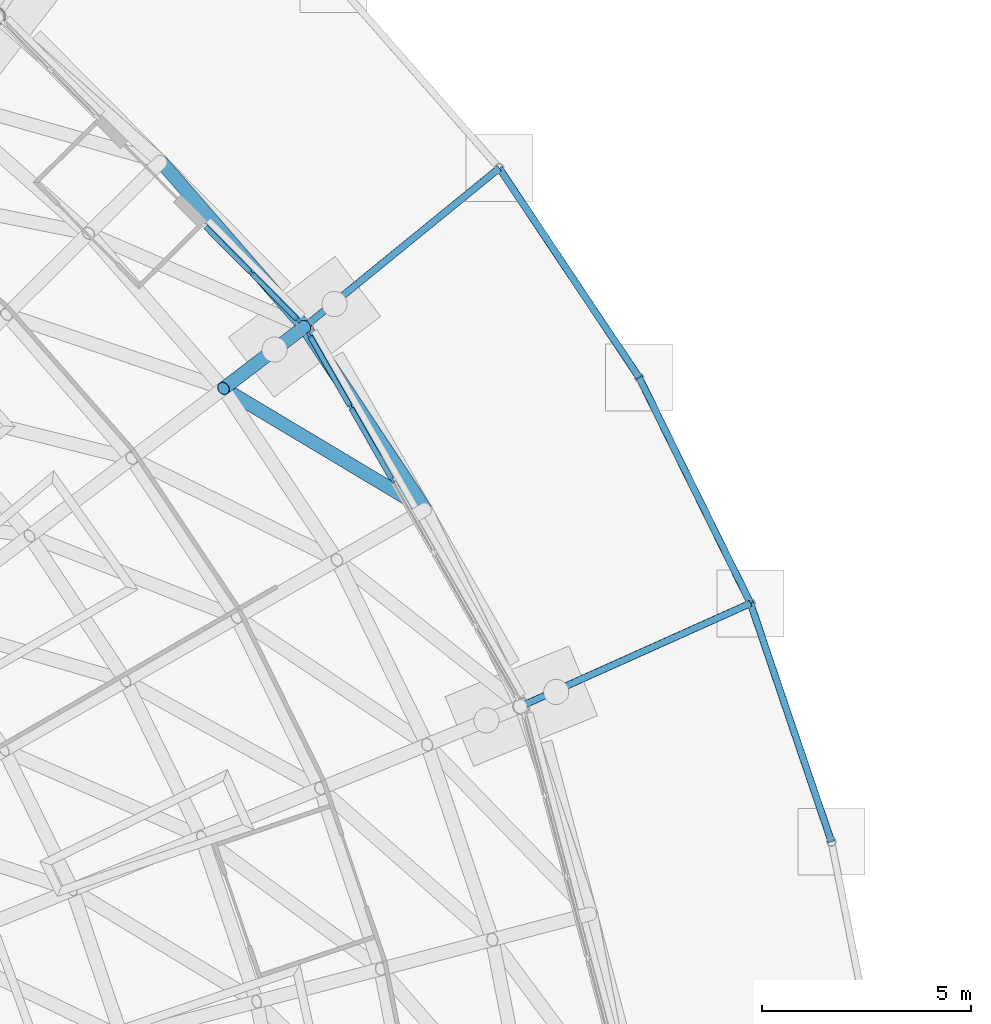
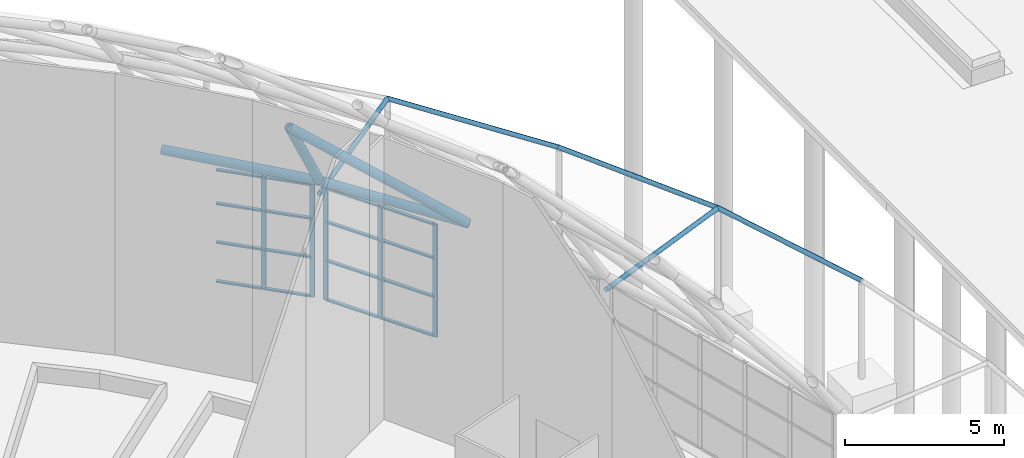
# One storey, part 113 of 226: 30 members, 2 elements without a shape of their own.
"""IFC4 building model written with IfcOpenShell, lengths in metres."""

from ifc_helpers import new_model, si_unit, direction, frame, origin, origin_2d, place, context, subcontext, project, spatial, rectangle, hollow_circle, extrude, material, material_profile, profile_set, type_object, element, aggregate, save


model = new_model("IFC4")

# Units and contexts
model_context = context("Model", 3, precision=1e-05, world=origin(), true_north=direction((0.0, 1.0)))
body_context = subcontext(model_context, "Body", "Model", "MODEL_VIEW")
ifc_project = project(units=[si_unit("LENGTHUNIT", "METRE"), si_unit("AREAUNIT", "SQUARE_METRE"), si_unit("VOLUMEUNIT", "CUBIC_METRE"), si_unit("PLANEANGLEUNIT", "RADIAN"), si_unit("MASSUNIT", "GRAM", prefix="KILO")], contexts=[model_context])

# Site, building, storey
site_placement = place(None, origin())
site = spatial("IfcSite", under=ifc_project, at=site_placement, CompositionType="ELEMENT")
building_placement = place(site_placement, origin())
building = spatial("IfcBuilding", under=site, at=building_placement, Name="Ceibo Conservatory and Research Tower", CompositionType="ELEMENT")
storey_placement = place(building_placement, origin())
storey = spatial("IfcBuildingStorey", under=building, at=storey_placement, Name="L00", CompositionType="ELEMENT", Elevation=0.0)

# Members
ifc_material_1 = material(Name="Steel ASTM A500 Gr C", Category="steel")
ifc_material_profile_1 = material_profile(ifc_material_1, hollow_circle(Radius=0.084228515625, WallThickness=0.007080078125, at=origin_2d()), Name="CHS 168.3x7.11")
ifc_profile_set_1 = profile_set([ifc_material_profile_1], Name="Steel ASTM A500 Gr C")
member_type_1 = type_object("IfcMemberType", Name="CHS 168.3x7.11", PredefinedType="NOTDEFINED", material=ifc_profile_set_1)
for number, where, z_axis, x_axis, name in (
    (1, (193.021728515625, 123.14599609375, 4.0), (0.911418388323, 0.408966143487, -0.045422625514), (-0.409388689975, 0.912360071748, 0.0), "Brim brace bracket A-BK02"),
    (2, (187.840087890625, 132.211669921875, 4.0), (0.774510706466, 0.630927805734, -0.045423226661), (-0.631579701741, 0.775310957196, 0.0), "Brim brace bracket A-BK03"),
):
    element("IfcMember", number, at=place(storey_placement, frame(where, z_axis=z_axis, x_axis=x_axis)), inside=storey, type_object=member_type_1, Name=name, PredefinedType="BRACE", context=body_context, shape_type="SweptSolid", body=[
        extrude(hollow_circle(Radius=0.084228515625, WallThickness=0.007080078125, at=origin_2d()), origin(), (0.0, 0.0, 1.0), 6.009033203125),
    ])
for number, where, z_axis, x_axis, name in (
    (3, (200.4326171875, 119.90576171875, 3.710205078125), (-0.321431529671, 0.946928684606, 0.002799643467), (-0.946932395643, -0.321432789369, 0.0), "Brim tip ring A-TR02"),
    (4, (198.49853515625, 125.603515625, 3.72705078125), (-0.44230371622, 0.896860961684, -0.00279964741), (-0.896864476514, -0.442305449624, 0.0), "Brim tip ring A-TR03"),
    (5, (195.837158203125, 131.0, 3.710205078125), (-0.555587224201, 0.831453545486, 0.002799643502), (-0.831456803973, -0.555589401562, 0.0), "Brim tip ring A-TR04"),
):
    element("IfcMember", number, at=place(storey_placement, frame(where, z_axis=z_axis, x_axis=x_axis)), inside=storey, type_object=member_type_1, Name=name, PredefinedType="CHORD", context=body_context, shape_type="SweptSolid", body=[
        extrude(hollow_circle(Radius=0.084228515625, WallThickness=0.007080078125, at=origin_2d()), origin(), (0.0, 0.0, 1.0), 6.01708984375),
    ])
ifc_material_profile_2 = material_profile(ifc_material_1, hollow_circle(Radius=0.161865234375, WallThickness=0.01416015625, at=origin_2d()), Name="CHS 323.9x14.27")
ifc_profile_set_2 = profile_set([ifc_material_profile_2], Name="Steel ASTM A500 Gr C")
member_type_2 = type_object("IfcMemberType", Name="CHS 323.9x14.27", PredefinedType="NOTDEFINED", material=ifc_profile_set_2)
member_1_placement = place(storey_placement, frame((187.840087890625, 132.2119140625, 4.5), z_axis=(-0.444566074041, -0.338100956033, 0.829487039887), x_axis=(0.605345102649, -0.795963131494, 0.0)))
element("IfcMember", 6, at=member_1_placement, inside=storey, type_object=member_type_2, Name="Gridshell member A-M05-01", PredefinedType="RAFTER", context=body_context, shape_type="SweptSolid", body=[
    extrude(hollow_circle(Radius=0.161865234375, WallThickness=0.01416015625, at=origin_2d()), origin(), (0.0, 0.0, 1.0), 4.359375),
])
ifc_material_2 = material(Name="Steel S355J2H", Category="steel")
ifc_material_profile_3 = material_profile(ifc_material_2, hollow_circle(Radius=0.161865234375, WallThickness=0.025390625, at=origin_2d()), Name="CHS 323.9x25.40")
ifc_profile_set_3 = profile_set([ifc_material_profile_3], Name="Steel S355J2H")
member_type_3 = type_object("IfcMemberType", Name="CHS 323.9x25.40", PredefinedType="NOTDEFINED", material=ifc_profile_set_3)
member_2_placement = place(storey_placement, frame((190.72802734375, 127.84912109375, 4.5), z_axis=(-0.551972840118, 0.83386208918, 0.0), x_axis=(-0.83386208918, -0.551972840118, 0.0)))
element("IfcMember", 7, at=member_2_placement, inside=storey, type_object=member_type_3, Name="Gridshell member A-C01-04", PredefinedType="CHORD", context=body_context, shape_type="SweptSolid", body=[
    extrude(hollow_circle(Radius=0.161865234375, WallThickness=0.025390625, at=origin_2d()), origin(), (0.0, 0.0, 1.0), 5.23193359375),
])
member_3_placement = place(storey_placement, frame((187.840087890625, 132.2119140625, 4.5), z_axis=(-0.656093231149, 0.754679847379, 0.0), x_axis=(-0.754679847379, -0.656093231149, 0.0)))
element("IfcMember", 8, at=member_3_placement, inside=storey, type_object=member_type_3, Name="Gridshell member A-C01-05", PredefinedType="CHORD", context=body_context, shape_type="SweptSolid", body=[
    extrude(hollow_circle(Radius=0.161865234375, WallThickness=0.025390625, at=origin_2d()), origin(), (0.0, 0.0, 1.0), 5.232666015625),
])
ifc_material_profile_4 = material_profile(ifc_material_1, hollow_circle(Radius=0.161865234375, WallThickness=0.00830078125, at=origin_2d()), Name="CHS 323.9x8.38")
ifc_profile_set_4 = profile_set([ifc_material_profile_4], Name="Steel ASTM A500 Gr C")
member_type_4 = type_object("IfcMemberType", Name="CHS 323.9x8.38", PredefinedType="NOTDEFINED", material=ifc_profile_set_4)
member_4_placement = place(storey_placement, frame((190.72802734375, 127.84912109375, 4.5), z_axis=(-0.721731098694, 0.432045535026, 0.540778029178), x_axis=(-0.513627364717, -0.858013362491, 0.0)))
element("IfcMember", 9, at=member_4_placement, inside=storey, type_object=member_type_4, Name="Gridshell diagonal member A-D01-04", PredefinedType="BRACE", context=body_context, shape_type="SweptSolid", body=[
    extrude(hollow_circle(Radius=0.161865234375, WallThickness=0.00830078125, at=origin_2d()), origin(), (0.0, 0.0, 1.0), 6.6865234375),
])

# Curtain wall, members
ifc_material_3 = material(Name="Aluminium and glass", Category="aluminium")
curtain_wall_type = type_object("IfcCurtainWallType", Name="Drum curtain wall", PredefinedType="NOTDEFINED", material=ifc_material_3)
curtain_wall_1_placement = place(storey_placement, origin())
curtain_wall_1 = element("IfcCurtainWall", 10, at=curtain_wall_1_placement, inside=storey, type_object=curtain_wall_type, Name="Drum curtain wall A-CW02", PredefinedType="NOTDEFINED")
ifc_material_4 = material(Name="Aluminium", Category="aluminium")
ifc_material_profile_5 = material_profile(ifc_material_4, rectangle(XDim=0.06005859375, YDim=0.159912109375, at=origin_2d()), Name="AL 60x160")
ifc_profile_set_5 = profile_set([ifc_material_profile_5], Name="Aluminium")
member_type_5 = type_object("IfcMemberType", Name="Drum mullion 60x160", PredefinedType="MULLION", material=ifc_profile_set_5)
member_5_placement = place(storey_placement, frame((189.932861328125, 128.550048828125, 0.0), z_axis=(0.0, 0.0, 1.0), x_axis=(-0.868198821002, -0.49621649228, 0.0)))
member_5 = element("IfcMember", 11, at=member_5_placement, type_object=member_type_5, Name="A-CW02 mullion 4", PredefinedType="MULLION", context=body_context, shape_type="SweptSolid", body=[
    extrude(rectangle(XDim=0.06005859375, YDim=0.159912109375, at=origin_2d()), origin(), (0.0, 0.0, 1.0), 4.338134765625),
])
member_6_placement = place(storey_placement, frame((188.936767578125, 130.292724609375, 0.0), z_axis=(0.0, 0.0, 1.0), x_axis=(-0.868198821002, -0.49621649228, 0.0)))
member_6 = element("IfcMember", 12, at=member_6_placement, type_object=member_type_5, Name="A-CW02 mullion 5", PredefinedType="MULLION", context=body_context, shape_type="SweptSolid", body=[
    extrude(rectangle(XDim=0.06005859375, YDim=0.159912109375, at=origin_2d()), origin(), (0.0, 0.0, 1.0), 4.338134765625),
])
member_7_placement = place(storey_placement, frame((187.955810546875, 132.00927734375, 0.0), z_axis=(0.0, 0.0, 1.0), x_axis=(-0.868198821002, -0.49621649228, 0.0)))
member_7 = element("IfcMember", 13, at=member_7_placement, type_object=member_type_5, Name="A-CW02 mullion 6", PredefinedType="MULLION", context=body_context, shape_type="SweptSolid", body=[
    extrude(rectangle(XDim=0.06005859375, YDim=0.159912109375, at=origin_2d()), origin(), (0.0, 0.0, 1.0), 4.338134765625),
])

curtain_wall_2_placement = place(storey_placement, origin())
curtain_wall_2 = element("IfcCurtainWall", 14, at=curtain_wall_2_placement, inside=storey, type_object=curtain_wall_type, Name="Drum curtain wall A-CW03W", PredefinedType="NOTDEFINED")
member_8_placement = place(storey_placement, frame((187.676025390625, 132.37744140625, 0.0), z_axis=(0.0, 0.0, 1.0), x_axis=(-0.71018535052, -0.704014749779, 0.0)))
member_8 = element("IfcMember", 15, at=member_8_placement, type_object=member_type_5, Name="A-CW03W mullion 1", PredefinedType="MULLION", context=body_context, shape_type="SweptSolid", body=[
    extrude(rectangle(XDim=0.06005859375, YDim=0.159912109375, at=origin_2d()), origin(), (0.0, 0.0, 1.0), 4.338134765625),
])
member_9_placement = place(storey_placement, frame((186.564208984375, 133.498779296875, 0.0), z_axis=(0.0, 0.0, 1.0), x_axis=(-0.71018535052, -0.704014749779, 0.0)))
member_9 = element("IfcMember", 16, at=member_9_placement, type_object=member_type_5, Name="A-CW03W mullion 2", PredefinedType="MULLION", context=body_context, shape_type="SweptSolid", body=[
    extrude(rectangle(XDim=0.06005859375, YDim=0.159912109375, at=origin_2d()), origin(), (0.0, 0.0, 1.0), 4.338134765625),
])

# Member
ifc_material_profile_6 = material_profile(ifc_material_4, rectangle(XDim=0.1201171875, YDim=0.06005859375, at=origin_2d()), Name="AL 60x120")
ifc_profile_set_6 = profile_set([ifc_material_profile_6], Name="Aluminium")
member_type_6 = type_object("IfcMemberType", Name="Drum transom 60x120", PredefinedType="USERDEFINED", material=ifc_profile_set_6)
member_10_placement = place(storey_placement, frame((189.91796875, 128.576171875, 0.030029296875), z_axis=(-0.496273962393, 0.868165971604, 0.0), x_axis=(-0.868165971604, -0.496273962393, 0.0)))
member_10 = element("IfcMember", 17, at=member_10_placement, type_object=member_type_6, Name="A-CW02 transom 4.1", ObjectType="TRANSOM", PredefinedType="USERDEFINED", context=body_context, shape_type="SweptSolid", body=[
    extrude(rectangle(XDim=0.1201171875, YDim=0.06005859375, at=origin_2d()), origin(), (0.0, 0.0, 1.0), 1.947021484375),
])

member_11_placement = place(storey_placement, frame((189.91796875, 128.576171875, 1.530029296875), z_axis=(-0.496273962393, 0.868165971604, 0.0), x_axis=(-0.868165971604, -0.496273962393, 0.0)))
member_11 = element("IfcMember", 18, at=member_11_placement, type_object=member_type_6, Name="A-CW02 transom 4.2", ObjectType="TRANSOM", PredefinedType="USERDEFINED", context=body_context, shape_type="SweptSolid", body=[
    extrude(rectangle(XDim=0.1201171875, YDim=0.06005859375, at=origin_2d()), origin(), (0.0, 0.0, 1.0), 1.947021484375),
])

member_12_placement = place(storey_placement, frame((189.91796875, 128.576171875, 3.014892578125), z_axis=(-0.496273962393, 0.868165971604, 0.0), x_axis=(-0.868165971604, -0.496273962393, 0.0)))
member_12 = element("IfcMember", 19, at=member_12_placement, type_object=member_type_6, Name="A-CW02 transom 4.3", ObjectType="TRANSOM", PredefinedType="USERDEFINED", context=body_context, shape_type="SweptSolid", body=[
    extrude(rectangle(XDim=0.1201171875, YDim=0.06005859375, at=origin_2d()), origin(), (0.0, 0.0, 1.0), 1.947021484375),
])

member_13_placement = place(storey_placement, frame((189.91796875, 128.576171875, 4.30810546875), z_axis=(-0.496273962393, 0.868165971604, 0.0), x_axis=(-0.868165971604, -0.496273962393, 0.0)))
member_13 = element("IfcMember", 20, at=member_13_placement, type_object=member_type_6, Name="A-CW02 transom 4.4", ObjectType="TRANSOM", PredefinedType="USERDEFINED", context=body_context, shape_type="SweptSolid", body=[
    extrude(rectangle(XDim=0.1201171875, YDim=0.06005859375, at=origin_2d()), origin(), (0.0, 0.0, 1.0), 1.947021484375),
])

member_14_placement = place(storey_placement, frame((188.922119140625, 130.31884765625, 0.030029296875), z_axis=(-0.496289793717, 0.868156921675, 0.0), x_axis=(-0.868156921675, -0.496289793717, 0.0)))
member_14 = element("IfcMember", 21, at=member_14_placement, type_object=member_type_6, Name="A-CW02 transom 5.1", ObjectType="TRANSOM", PredefinedType="USERDEFINED", context=body_context, shape_type="SweptSolid", body=[
    extrude(rectangle(XDim=0.1201171875, YDim=0.06005859375, at=origin_2d()), origin(), (0.0, 0.0, 1.0), 1.9169921875),
])

member_15_placement = place(storey_placement, frame((188.922119140625, 130.31884765625, 1.530029296875), z_axis=(-0.496289793717, 0.868156921675, 0.0), x_axis=(-0.868156921675, -0.496289793717, 0.0)))
member_15 = element("IfcMember", 22, at=member_15_placement, type_object=member_type_6, Name="A-CW02 transom 5.2", ObjectType="TRANSOM", PredefinedType="USERDEFINED", context=body_context, shape_type="SweptSolid", body=[
    extrude(rectangle(XDim=0.1201171875, YDim=0.06005859375, at=origin_2d()), origin(), (0.0, 0.0, 1.0), 1.9169921875),
])

member_16_placement = place(storey_placement, frame((188.922119140625, 130.31884765625, 3.014892578125), z_axis=(-0.496289793717, 0.868156921675, 0.0), x_axis=(-0.868156921675, -0.496289793717, 0.0)))
member_16 = element("IfcMember", 23, at=member_16_placement, type_object=member_type_6, Name="A-CW02 transom 5.3", ObjectType="TRANSOM", PredefinedType="USERDEFINED", context=body_context, shape_type="SweptSolid", body=[
    extrude(rectangle(XDim=0.1201171875, YDim=0.06005859375, at=origin_2d()), origin(), (0.0, 0.0, 1.0), 1.9169921875),
])

member_17_placement = place(storey_placement, frame((188.922119140625, 130.31884765625, 4.30810546875), z_axis=(-0.496289793717, 0.868156921675, 0.0), x_axis=(-0.868156921675, -0.496289793717, 0.0)))
member_17 = element("IfcMember", 24, at=member_17_placement, type_object=member_type_6, Name="A-CW02 transom 5.4", ObjectType="TRANSOM", PredefinedType="USERDEFINED", context=body_context, shape_type="SweptSolid", body=[
    extrude(rectangle(XDim=0.1201171875, YDim=0.06005859375, at=origin_2d()), origin(), (0.0, 0.0, 1.0), 1.9169921875),
])

aggregate(curtain_wall_1, [member_5, member_6, member_7, member_10, member_11, member_12, member_13, member_14, member_15, member_16, member_17])

member_18_placement = place(storey_placement, frame((187.65478515625, 132.398681640625, 0.030029296875), z_axis=(-0.704046104404, 0.710154266954, 0.0), x_axis=(-0.710154266954, -0.704046104404, 0.0)))
member_18 = element("IfcMember", 25, at=member_18_placement, type_object=member_type_6, Name="A-CW03W transom 1.1", ObjectType="TRANSOM", PredefinedType="USERDEFINED", context=body_context, shape_type="SweptSolid", body=[
    extrude(rectangle(XDim=0.1201171875, YDim=0.06005859375, at=origin_2d()), origin(), (0.0, 0.0, 1.0), 1.518798828125),
])

member_19_placement = place(storey_placement, frame((187.65478515625, 132.398681640625, 1.530029296875), z_axis=(-0.704046104404, 0.710154266954, 0.0), x_axis=(-0.710154266954, -0.704046104404, 0.0)))
member_19 = element("IfcMember", 26, at=member_19_placement, type_object=member_type_6, Name="A-CW03W transom 1.2", ObjectType="TRANSOM", PredefinedType="USERDEFINED", context=body_context, shape_type="SweptSolid", body=[
    extrude(rectangle(XDim=0.1201171875, YDim=0.06005859375, at=origin_2d()), origin(), (0.0, 0.0, 1.0), 1.518798828125),
])

member_20_placement = place(storey_placement, frame((187.65478515625, 132.398681640625, 3.014892578125), z_axis=(-0.704046104404, 0.710154266954, 0.0), x_axis=(-0.710154266954, -0.704046104404, 0.0)))
member_20 = element("IfcMember", 27, at=member_20_placement, type_object=member_type_6, Name="A-CW03W transom 1.3", ObjectType="TRANSOM", PredefinedType="USERDEFINED", context=body_context, shape_type="SweptSolid", body=[
    extrude(rectangle(XDim=0.1201171875, YDim=0.06005859375, at=origin_2d()), origin(), (0.0, 0.0, 1.0), 1.518798828125),
])

member_21_placement = place(storey_placement, frame((187.65478515625, 132.398681640625, 4.30810546875), z_axis=(-0.704046104404, 0.710154266954, 0.0), x_axis=(-0.710154266954, -0.704046104404, 0.0)))
member_21 = element("IfcMember", 28, at=member_21_placement, type_object=member_type_6, Name="A-CW03W transom 1.4", ObjectType="TRANSOM", PredefinedType="USERDEFINED", context=body_context, shape_type="SweptSolid", body=[
    extrude(rectangle(XDim=0.1201171875, YDim=0.06005859375, at=origin_2d()), origin(), (0.0, 0.0, 1.0), 1.518798828125),
])

member_22_placement = place(storey_placement, frame((186.543212890625, 133.52001953125, 0.030029296875), z_axis=(-0.704046104404, 0.710154266954, 0.0), x_axis=(-0.710154266954, -0.704046104404, 0.0)))
member_22 = element("IfcMember", 29, at=member_22_placement, type_object=member_type_6, Name="A-CW03W transom 2.1", ObjectType="TRANSOM", PredefinedType="USERDEFINED", context=body_context, shape_type="SweptSolid", body=[
    extrude(rectangle(XDim=0.1201171875, YDim=0.06005859375, at=origin_2d()), origin(), (0.0, 0.0, 1.0), 1.518798828125),
])

member_23_placement = place(storey_placement, frame((186.543212890625, 133.52001953125, 1.530029296875), z_axis=(-0.704046104404, 0.710154266954, 0.0), x_axis=(-0.710154266954, -0.704046104404, 0.0)))
member_23 = element("IfcMember", 30, at=member_23_placement, type_object=member_type_6, Name="A-CW03W transom 2.2", ObjectType="TRANSOM", PredefinedType="USERDEFINED", context=body_context, shape_type="SweptSolid", body=[
    extrude(rectangle(XDim=0.1201171875, YDim=0.06005859375, at=origin_2d()), origin(), (0.0, 0.0, 1.0), 1.518798828125),
])

member_24_placement = place(storey_placement, frame((186.543212890625, 133.52001953125, 3.014892578125), z_axis=(-0.704046104404, 0.710154266954, 0.0), x_axis=(-0.710154266954, -0.704046104404, 0.0)))
member_24 = element("IfcMember", 31, at=member_24_placement, type_object=member_type_6, Name="A-CW03W transom 2.3", ObjectType="TRANSOM", PredefinedType="USERDEFINED", context=body_context, shape_type="SweptSolid", body=[
    extrude(rectangle(XDim=0.1201171875, YDim=0.06005859375, at=origin_2d()), origin(), (0.0, 0.0, 1.0), 1.518798828125),
])

member_25_placement = place(storey_placement, frame((186.543212890625, 133.52001953125, 4.30810546875), z_axis=(-0.704046104404, 0.710154266954, 0.0), x_axis=(-0.710154266954, -0.704046104404, 0.0)))
member_25 = element("IfcMember", 32, at=member_25_placement, type_object=member_type_6, Name="A-CW03W transom 2.4", ObjectType="TRANSOM", PredefinedType="USERDEFINED", context=body_context, shape_type="SweptSolid", body=[
    extrude(rectangle(XDim=0.1201171875, YDim=0.06005859375, at=origin_2d()), origin(), (0.0, 0.0, 1.0), 1.518798828125),
])

aggregate(curtain_wall_2, [member_8, member_9, member_18, member_19, member_20, member_21, member_22, member_23, member_24, member_25])

save(model, "model.ifc")
